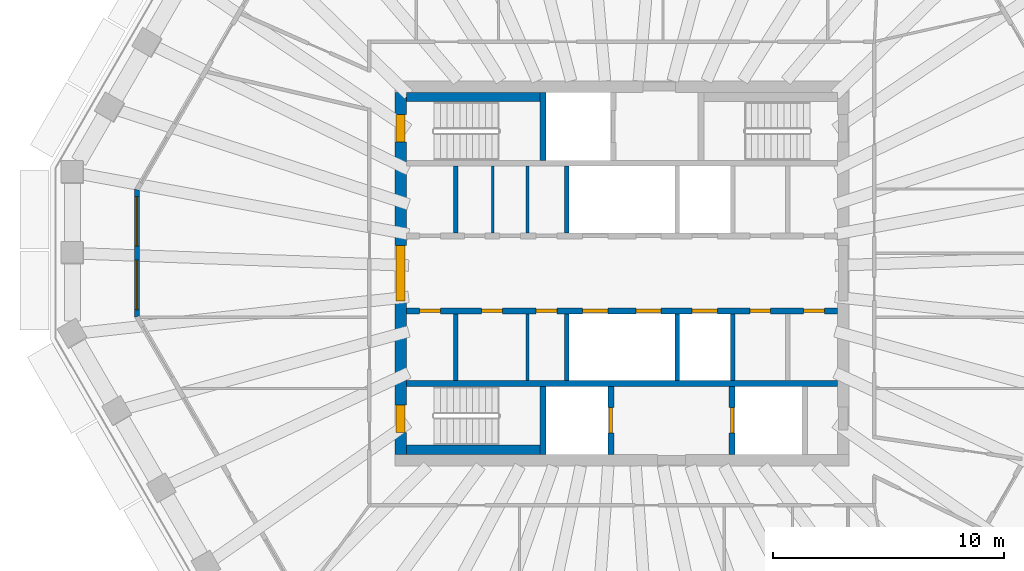
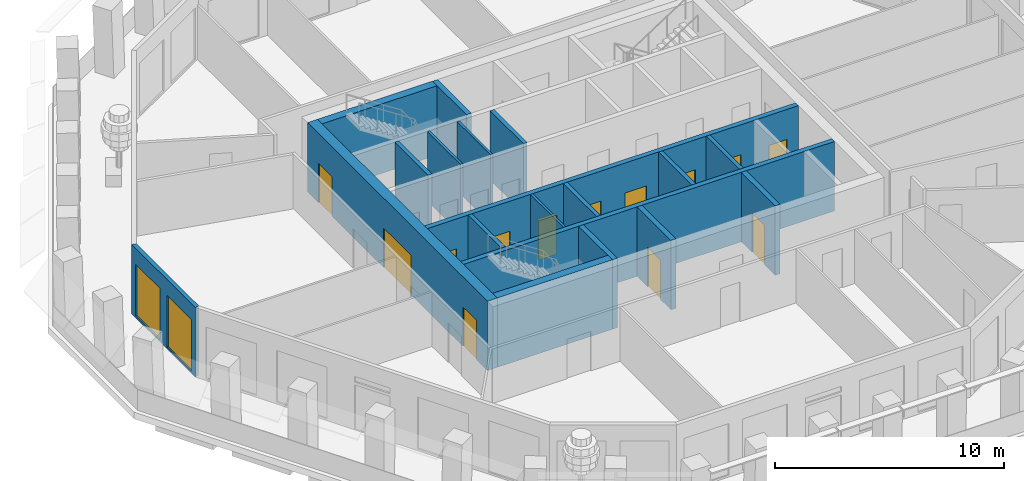
# One storey, part 4 of 12: 19 walls, 13 doors, 2 windows, 15 openings.
"""IFC4 building model written with IfcOpenShell, lengths in metres."""

from ifc_helpers import new_model, si_unit, direction, frame, frame_2d, origin, place, context, subcontext, project, spatial, polyline, rectangle, outline, extrude, material, layer, layer_set, type_object, element, fill, save


model = new_model("IFC4")

# Units and contexts
model_context = context("Model", 3, precision=1e-05, world=origin(), true_north=direction((0.0, 1.0)))
body_context = subcontext(model_context, "Body", "Model", "MODEL_VIEW")
ifc_project = project(units=[si_unit("LENGTHUNIT", "METRE"), si_unit("AREAUNIT", "SQUARE_METRE"), si_unit("VOLUMEUNIT", "CUBIC_METRE"), si_unit("PLANEANGLEUNIT", "RADIAN"), si_unit("MASSUNIT", "GRAM", prefix="KILO")], contexts=[model_context])

# Site, building, storey
site_placement = place(None, origin())
site = spatial("IfcSite", under=ifc_project, at=site_placement, CompositionType="ELEMENT")
building_placement = place(site_placement, origin())
building = spatial("IfcBuilding", under=site, at=building_placement, Name="Frailejon Research Tower", CompositionType="ELEMENT")
storey_placement = place(building_placement, frame((0.0, 0.0, 291.0)))
storey = spatial("IfcBuildingStorey", under=building, at=storey_placement, Name="L64", CompositionType="ELEMENT", Elevation=291.0)

# Walls
ifc_material_1 = material(Name="Plasterboard on steel studs", Category="steel")
ifc_layer_1 = layer(ifc_material_1, 0.125)
ifc_layer_set_1 = layer_set([ifc_layer_1], Name="Core partition 125")
wall_type_1 = type_object("IfcWallType", Name="Core partition 125", PredefinedType="PARTITIONING", material=ifc_layer_set_1)
for number, where, z_axis, x_axis, name in (
    (1, (-5.60009765625, 1.75, 0.0), (0.0, 0.0, 1.0), (0.0, 1.0, 0.0), "Core partition"),
    (2, (-4.10009765625, 1.75, 0.0), (0.0, 0.0, 1.0), (0.0, 1.0, 0.0), "Core partition"),
    (3, (-4.10009765625, -4.64990234375, 0.0), (0.0, 0.0, 1.0), (0.0, 1.0, 0.0), "Core partition"),
):
    element("IfcWall", number, at=place(storey_placement, frame(where, z_axis=z_axis, x_axis=x_axis)), inside=storey, type_object=wall_type_1, Name=name, PredefinedType="PARTITIONING", context=body_context, shape_type="SweptSolid", body=[
        extrude(rectangle(XDim=2.89990234375, YDim=0.125, at=frame_2d((1.449951171875, 0.0))), origin(), (0.0, 0.0, 1.0), 3.699951171875),
    ])

# Wall, openings, doors
ifc_material_2 = material(Name="Concrete C50/60", Category="concrete")
ifc_layer_2 = layer(ifc_material_2, 0.5)
ifc_layer_set_2 = layer_set([ifc_layer_2], Name="Core shear wall 500 C50/60")
wall_type_2 = type_object("IfcWallType", Name="Core shear wall 500 C50/60", PredefinedType="SHEAR", material=ifc_layer_set_2)
wall_1_placement = place(storey_placement, frame((-9.60009765625, -7.85009765625, 0.0), z_axis=(0.0, 0.0, 1.0), x_axis=(0.0, 1.0, 0.0)))
wall_1 = element("IfcWall", 4, at=wall_1_placement, inside=storey, type_object=wall_type_2, Name="Core shear wall", PredefinedType="SHEAR", context=body_context, shape_type="SweptSolid", body=[
    extrude(rectangle(XDim=15.7001953125, YDim=0.5, at=frame_2d((7.85009765625, 0.0))), origin(), (0.0, 0.0, 1.0), 3.699951171875),
])
opening_1_placement = place(wall_1_placement, frame((6.64990234375, 0.0, 0.0)))
opening_1 = element("IfcOpeningElement", 5, at=opening_1_placement, cuts=wall_1, Name="Opening D2", PredefinedType="OPENING", context=body_context, shape_type="SweptSolid", body=[
    extrude(rectangle(XDim=2.39990234375, YDim=2.10009765625, at=frame_2d((1.199951171875, 1.050048828125))), frame((0.0, 0.260009765625, 0.0), z_axis=(0.0, -1.0, 0.0), x_axis=(1.0, 0.0, 0.0)), (0.0, 0.0, 1.0), 0.52001953125),
])
opening_2_placement = place(wall_1_placement, frame((13.550048828125, 0.0, 0.0)))
opening_2 = element("IfcOpeningElement", 6, at=opening_2_placement, cuts=wall_1, Name="Opening D1", PredefinedType="OPENING", context=body_context, shape_type="SweptSolid", body=[
    extrude(rectangle(XDim=1.199951171875, YDim=2.10009765625, at=frame_2d((0.60009765625, 1.050048828125))), frame((0.0, 0.260009765625, 0.0), z_axis=(0.0, -1.0, 0.0), x_axis=(1.0, 0.0, 0.0)), (0.0, 0.0, 1.0), 0.52001953125),
])
opening_3_placement = place(wall_1_placement, frame((0.949951171875, 0.0, 0.0)))
opening_3 = element("IfcOpeningElement", 7, at=opening_3_placement, cuts=wall_1, Name="Opening D1", PredefinedType="OPENING", context=body_context, shape_type="SweptSolid", body=[
    extrude(rectangle(XDim=1.199951171875, YDim=2.10009765625, at=frame_2d((0.60009765625, 1.050048828125))), frame((0.0, 0.260009765625, 0.0), z_axis=(0.0, -1.0, 0.0), x_axis=(1.0, 0.0, 0.0)), (0.0, 0.0, 1.0), 0.52001953125),
])
ifc_material_3 = material(Name="Steel", Category="steel")
door_type_1 = type_object("IfcDoorType", Name="Lobby double door", OperationType="DOUBLE_DOOR_SINGLE_SWING", PredefinedType="DOOR", material=ifc_material_3)
door_1_placement = place(opening_1_placement, origin())
door_1 = element("IfcDoor", 8, at=door_1_placement, inside=storey, type_object=door_type_1, Name="Lobby door", OperationType="DOUBLE_DOOR_SINGLE_SWING", OverallHeight=2.10009765625, OverallWidth=2.39990234375, PredefinedType="DOOR", context=body_context, shape_type="SweptSolid", body=[
    extrude(rectangle(XDim=2.39990234375, YDim=2.10009765625, at=frame_2d((1.199951171875, 1.050048828125))), frame((0.0, 0.199951171875, 0.0), z_axis=(0.0, -1.0, 0.0), x_axis=(1.0, 0.0, 0.0)), (0.0, 0.0, 1.0), 0.39990234375),
])
fill(opening_1, door_1)
ifc_material_4 = material(Name="Steel", Category="steel")
door_type_2 = type_object("IfcDoorType", Name="Stair door", OperationType="SINGLE_SWING_LEFT", PredefinedType="DOOR", material=ifc_material_4)
door_2_placement = place(opening_2_placement, origin())
door_2 = element("IfcDoor", 9, at=door_2_placement, inside=storey, type_object=door_type_2, Name="Stair door ST1", OperationType="SINGLE_SWING_LEFT", OverallHeight=2.10009765625, OverallWidth=1.199951171875, PredefinedType="DOOR", context=body_context, shape_type="SweptSolid", body=[
    extrude(rectangle(XDim=1.199951171875, YDim=2.10009765625, at=frame_2d((0.60009765625, 1.050048828125))), frame((0.0, 0.199951171875, 0.0), z_axis=(0.0, -1.0, 0.0), x_axis=(1.0, 0.0, 0.0)), (0.0, 0.0, 1.0), 0.39990234375),
])
fill(opening_2, door_2)
door_3_placement = place(opening_3_placement, origin())
door_3 = element("IfcDoor", 10, at=door_3_placement, inside=storey, type_object=door_type_2, Name="Stair door ST2", OperationType="SINGLE_SWING_RIGHT", OverallHeight=2.10009765625, OverallWidth=1.199951171875, PredefinedType="DOOR", context=body_context, shape_type="SweptSolid", body=[
    extrude(rectangle(XDim=1.199951171875, YDim=2.10009765625, at=frame_2d((0.60009765625, 1.050048828125))), frame((0.0, 0.199951171875, 0.0), z_axis=(0.0, -1.0, 0.0), x_axis=(1.0, 0.0, 0.0)), (0.0, 0.0, 1.0), 0.39990234375),
])
fill(opening_3, door_3)

# Walls
ifc_material_5 = material(Name="Concrete C50/60", Category="concrete")
ifc_layer_3 = layer(ifc_material_5, 0.199951171875)
ifc_layer_set_3 = layer_set([ifc_layer_3], Name="Shaft wall 200 C50/60")
wall_type_3 = type_object("IfcWallType", Name="Shaft wall 200 C50/60", PredefinedType="SOLIDWALL", material=ifc_layer_set_3)
for number, where, z_axis, x_axis, name in (
    (11, (-7.199951171875, 1.75, 0.0), (0.0, 0.0, 1.0), (0.0, 1.0, 0.0), "Shaft wall"),
    (12, (-2.39990234375, 1.75, 0.0), (0.0, 0.0, 1.0), (0.0, 1.0, 0.0), "Shaft wall"),
    (13, (-7.199951171875, -4.64990234375, 0.0), (0.0, 0.0, 1.0), (0.0, 1.0, 0.0), "Shaft wall"),
    (14, (-2.39990234375, -4.64990234375, 0.0), (0.0, 0.0, 1.0), (0.0, 1.0, 0.0), "Shaft wall"),
    (15, (2.39990234375, -4.64990234375, 0.0), (0.0, 0.0, 1.0), (0.0, 1.0, 0.0), "Shaft wall"),
    (16, (4.800048828125, -4.64990234375, 0.0), (0.0, 0.0, 1.0), (0.0, 1.0, 0.0), "Shaft wall"),
):
    element("IfcWall", number, at=place(storey_placement, frame(where, z_axis=z_axis, x_axis=x_axis)), inside=storey, type_object=wall_type_3, Name=name, PredefinedType="SOLIDWALL", context=body_context, shape_type="SweptSolid", body=[
        extrude(rectangle(XDim=2.89990234375, YDim=0.199951171875, at=frame_2d((1.449951171875, 0.0))), origin(), (0.0, 0.0, 1.0), 3.699951171875),
    ])

# Wall, openings, doors
ifc_material_6 = material(Name="Concrete C50/60", Category="concrete")
ifc_layer_4 = layer(ifc_material_6, 0.25)
ifc_layer_set_4 = layer_set([ifc_layer_4], Name="Shaft wall 250 C50/60")
wall_type_4 = type_object("IfcWallType", Name="Shaft wall 250 C50/60", PredefinedType="SOLIDWALL", material=ifc_layer_set_4)
wall_2_placement = place(storey_placement, frame((-9.35009765625, -1.625, 0.0), z_axis=(0.0, 0.0, 1.0), x_axis=(1.0, 0.0, 0.0)))
wall_2 = element("IfcWall", 17, at=wall_2_placement, inside=storey, type_object=wall_type_4, Name="Shaft wall", PredefinedType="SOLIDWALL", context=body_context, shape_type="SweptSolid", body=[
    extrude(rectangle(XDim=18.7001953125, YDim=0.25, at=frame_2d((9.35009765625, 0.0))), origin(), (0.0, 0.0, 1.0), 3.699951171875),
])
opening_4_placement = place(wall_2_placement, frame((7.64990234375, 0.0, 0.0)))
opening_4 = element("IfcOpeningElement", 18, at=opening_4_placement, cuts=wall_2, Name="Opening LD", PredefinedType="OPENING", context=body_context, shape_type="SweptSolid", body=[
    extrude(rectangle(XDim=1.10009765625, YDim=2.10009765625, at=frame_2d((0.550048828125, 1.050048828125))), frame((0.0, 0.135009765625, 0.0), z_axis=(0.0, -1.0, 0.0), x_axis=(1.0, 0.0, 0.0)), (0.0, 0.0, 1.0), 0.27001953125),
])
opening_5_placement = place(wall_2_placement, frame((9.949951171875, 0.0, 0.0)))
opening_5 = element("IfcOpeningElement", 19, at=opening_5_placement, cuts=wall_2, Name="Opening LD", PredefinedType="OPENING", context=body_context, shape_type="SweptSolid", body=[
    extrude(rectangle(XDim=1.10009765625, YDim=2.10009765625, at=frame_2d((0.550048828125, 1.050048828125))), frame((0.0, 0.135009765625, 0.0), z_axis=(0.0, -1.0, 0.0), x_axis=(1.0, 0.0, 0.0)), (0.0, 0.0, 1.0), 0.27001953125),
])
opening_6_placement = place(wall_2_placement, frame((12.39990234375, 0.0, 0.0)))
opening_6 = element("IfcOpeningElement", 20, at=opening_6_placement, cuts=wall_2, Name="Opening LD", PredefinedType="OPENING", context=body_context, shape_type="SweptSolid", body=[
    extrude(rectangle(XDim=1.10009765625, YDim=2.10009765625, at=frame_2d((0.550048828125, 1.050048828125))), frame((0.0, 0.135009765625, 0.0), z_axis=(0.0, -1.0, 0.0), x_axis=(1.0, 0.0, 0.0)), (0.0, 0.0, 1.0), 0.27001953125),
])
opening_7_placement = place(wall_2_placement, frame((0.574951171875, 0.0, 0.0)))
opening_7 = element("IfcOpeningElement", 21, at=opening_7_placement, cuts=wall_2, Name="Opening D8", PredefinedType="OPENING", context=body_context, shape_type="SweptSolid", body=[
    extrude(rectangle(XDim=0.89990234375, YDim=2.10009765625, at=frame_2d((0.449951171875, 1.050048828125))), frame((0.0, 0.135009765625, 0.0), z_axis=(0.0, -1.0, 0.0), x_axis=(1.0, 0.0, 0.0)), (0.0, 0.0, 1.0), 0.27001953125),
])
opening_8_placement = place(wall_2_placement, frame((3.268798828125, 0.0, 0.0)))
opening_8 = element("IfcOpeningElement", 22, at=opening_8_placement, cuts=wall_2, Name="Opening D8", PredefinedType="OPENING", context=body_context, shape_type="SweptSolid", body=[
    extrude(rectangle(XDim=0.89990234375, YDim=2.10009765625, at=frame_2d((0.449951171875, 1.050048828125))), frame((0.0, 0.135009765625, 0.0), z_axis=(0.0, -1.0, 0.0), x_axis=(1.0, 0.0, 0.0)), (0.0, 0.0, 1.0), 0.27001953125),
])
opening_9_placement = place(wall_2_placement, frame((5.631103515625, 0.0, 0.0)))
opening_9 = element("IfcOpeningElement", 23, at=opening_9_placement, cuts=wall_2, Name="Opening D8", PredefinedType="OPENING", context=body_context, shape_type="SweptSolid", body=[
    extrude(rectangle(XDim=0.89990234375, YDim=2.10009765625, at=frame_2d((0.449951171875, 1.050048828125))), frame((0.0, 0.135009765625, 0.0), z_axis=(0.0, -1.0, 0.0), x_axis=(1.0, 0.0, 0.0)), (0.0, 0.0, 1.0), 0.27001953125),
])
opening_10_placement = place(wall_2_placement, frame((14.89990234375, 0.0, 0.0)))
opening_10 = element("IfcOpeningElement", 24, at=opening_10_placement, cuts=wall_2, Name="Opening D8", PredefinedType="OPENING", context=body_context, shape_type="SweptSolid", body=[
    extrude(rectangle(XDim=0.89990234375, YDim=2.10009765625, at=frame_2d((0.449951171875, 1.050048828125))), frame((0.0, 0.135009765625, 0.0), z_axis=(0.0, -1.0, 0.0), x_axis=(1.0, 0.0, 0.0)), (0.0, 0.0, 1.0), 0.27001953125),
])
opening_11_placement = place(wall_2_placement, frame((17.22509765625, 0.0, 0.0)))
opening_11 = element("IfcOpeningElement", 25, at=opening_11_placement, cuts=wall_2, Name="Opening D8", PredefinedType="OPENING", context=body_context, shape_type="SweptSolid", body=[
    extrude(rectangle(XDim=0.89990234375, YDim=2.10009765625, at=frame_2d((0.449951171875, 1.050048828125))), frame((0.0, 0.135009765625, 0.0), z_axis=(0.0, -1.0, 0.0), x_axis=(1.0, 0.0, 0.0)), (0.0, 0.0, 1.0), 0.27001953125),
])
ifc_material_7 = material(Name="Steel", Category="steel")
door_type_3 = type_object("IfcDoorType", Name="Core room door", OperationType="SINGLE_SWING_LEFT", PredefinedType="DOOR", material=ifc_material_7)
door_4_placement = place(opening_7_placement, origin())
door_4 = element("IfcDoor", 26, at=door_4_placement, inside=storey, type_object=door_type_3, Name="Room door", OperationType="SINGLE_SWING_LEFT", OverallHeight=2.10009765625, OverallWidth=0.89990234375, PredefinedType="DOOR", context=body_context, shape_type="SweptSolid", body=[
    extrude(rectangle(XDim=0.89990234375, YDim=2.10009765625, at=frame_2d((0.449951171875, 1.050048828125))), frame((0.0, 0.074951171875, 0.0), z_axis=(0.0, -1.0, 0.0), x_axis=(1.0, 0.0, 0.0)), (0.0, 0.0, 1.0), 0.14990234375),
])
fill(opening_7, door_4)
door_5_placement = place(opening_8_placement, origin())
door_5 = element("IfcDoor", 27, at=door_5_placement, inside=storey, type_object=door_type_3, Name="Room door", OperationType="SINGLE_SWING_RIGHT", OverallHeight=2.10009765625, OverallWidth=0.89990234375, PredefinedType="DOOR", context=body_context, shape_type="SweptSolid", body=[
    extrude(rectangle(XDim=0.89990234375, YDim=2.10009765625, at=frame_2d((0.449951171875, 1.050048828125))), frame((0.0, 0.074951171875, 0.0), z_axis=(0.0, -1.0, 0.0), x_axis=(1.0, 0.0, 0.0)), (0.0, 0.0, 1.0), 0.14990234375),
])
fill(opening_8, door_5)
door_6_placement = place(opening_9_placement, origin())
door_6 = element("IfcDoor", 28, at=door_6_placement, inside=storey, type_object=door_type_3, Name="Room door", OperationType="SINGLE_SWING_LEFT", OverallHeight=2.10009765625, OverallWidth=0.89990234375, PredefinedType="DOOR", context=body_context, shape_type="SweptSolid", body=[
    extrude(rectangle(XDim=0.89990234375, YDim=2.10009765625, at=frame_2d((0.449951171875, 1.050048828125))), frame((0.0, 0.074951171875, 0.0), z_axis=(0.0, -1.0, 0.0), x_axis=(1.0, 0.0, 0.0)), (0.0, 0.0, 1.0), 0.14990234375),
])
fill(opening_9, door_6)
door_7_placement = place(opening_10_placement, origin())
door_7 = element("IfcDoor", 29, at=door_7_placement, inside=storey, type_object=door_type_3, Name="Room door", OperationType="SINGLE_SWING_RIGHT", OverallHeight=2.10009765625, OverallWidth=0.89990234375, PredefinedType="DOOR", context=body_context, shape_type="SweptSolid", body=[
    extrude(rectangle(XDim=0.89990234375, YDim=2.10009765625, at=frame_2d((0.449951171875, 1.050048828125))), frame((0.0, 0.074951171875, 0.0), z_axis=(0.0, -1.0, 0.0), x_axis=(1.0, 0.0, 0.0)), (0.0, 0.0, 1.0), 0.14990234375),
])
fill(opening_10, door_7)
door_8_placement = place(opening_11_placement, origin())
door_8 = element("IfcDoor", 30, at=door_8_placement, inside=storey, type_object=door_type_3, Name="Room door", OperationType="SINGLE_SWING_LEFT", OverallHeight=2.10009765625, OverallWidth=0.89990234375, PredefinedType="DOOR", context=body_context, shape_type="SweptSolid", body=[
    extrude(rectangle(XDim=0.89990234375, YDim=2.10009765625, at=frame_2d((0.449951171875, 1.050048828125))), frame((0.0, 0.074951171875, 0.0), z_axis=(0.0, -1.0, 0.0), x_axis=(1.0, 0.0, 0.0)), (0.0, 0.0, 1.0), 0.14990234375),
])
fill(opening_11, door_8)
ifc_material_8 = material(Name="Steel", Category="steel")
door_type_4 = type_object("IfcDoorType", Name="Lift landing door", OperationType="DOUBLE_DOOR_SLIDING", PredefinedType="DOOR", material=ifc_material_8)
door_9_placement = place(opening_4_placement, origin())
door_9 = element("IfcDoor", 31, at=door_9_placement, inside=storey, type_object=door_type_4, Name="Lift landing door", OperationType="DOUBLE_DOOR_SLIDING", OverallHeight=2.10009765625, OverallWidth=1.10009765625, PredefinedType="DOOR", context=body_context, shape_type="SweptSolid", body=[
    extrude(rectangle(XDim=1.10009765625, YDim=2.10009765625, at=frame_2d((0.550048828125, 1.050048828125))), frame((0.0, 0.074951171875, 0.0), z_axis=(0.0, -1.0, 0.0), x_axis=(1.0, 0.0, 0.0)), (0.0, 0.0, 1.0), 0.14990234375),
])
fill(opening_4, door_9)
door_10_placement = place(opening_5_placement, origin())
door_10 = element("IfcDoor", 32, at=door_10_placement, inside=storey, type_object=door_type_4, Name="Lift landing door", OperationType="DOUBLE_DOOR_SLIDING", OverallHeight=2.10009765625, OverallWidth=1.10009765625, PredefinedType="DOOR", context=body_context, shape_type="SweptSolid", body=[
    extrude(rectangle(XDim=1.10009765625, YDim=2.10009765625, at=frame_2d((0.550048828125, 1.050048828125))), frame((0.0, 0.074951171875, 0.0), z_axis=(0.0, -1.0, 0.0), x_axis=(1.0, 0.0, 0.0)), (0.0, 0.0, 1.0), 0.14990234375),
])
fill(opening_5, door_10)
door_11_placement = place(opening_6_placement, origin())
door_11 = element("IfcDoor", 33, at=door_11_placement, inside=storey, type_object=door_type_4, Name="Lift landing door", OperationType="DOUBLE_DOOR_SLIDING", OverallHeight=2.10009765625, OverallWidth=1.10009765625, PredefinedType="DOOR", context=body_context, shape_type="SweptSolid", body=[
    extrude(rectangle(XDim=1.10009765625, YDim=2.10009765625, at=frame_2d((0.550048828125, 1.050048828125))), frame((0.0, 0.074951171875, 0.0), z_axis=(0.0, -1.0, 0.0), x_axis=(1.0, 0.0, 0.0)), (0.0, 0.0, 1.0), 0.14990234375),
])
fill(opening_6, door_11)

# Walls
wall_3_placement = place(storey_placement, frame((-9.35009765625, -4.77490234375, 0.0), z_axis=(0.0, 0.0, 1.0), x_axis=(1.0, 0.0, 0.0)))
element("IfcWall", 34, at=wall_3_placement, inside=storey, type_object=wall_type_4, Name="Shaft wall", PredefinedType="SOLIDWALL", context=body_context, shape_type="SweptSolid", body=[
    extrude(rectangle(XDim=18.7001953125, YDim=0.25, at=frame_2d((9.35009765625, 0.0))), origin(), (0.0, 0.0, 1.0), 3.699951171875),
])
for number, where, z_axis, x_axis, name in (
    (35, (-3.425048828125, 4.89990234375, 0.0), (0.0, 0.0, 1.0), (0.0, 1.0, 0.0), "Shaft wall"),
    (36, (-3.425048828125, -7.85009765625, 0.0), (0.0, 0.0, 1.0), (0.0, 1.0, 0.0), "Shaft wall"),
):
    element("IfcWall", number, at=place(storey_placement, frame(where, z_axis=z_axis, x_axis=x_axis)), inside=storey, type_object=wall_type_4, Name=name, PredefinedType="SOLIDWALL", context=body_context, shape_type="SweptSolid", body=[
        extrude(rectangle(XDim=2.9501953125, YDim=0.25, at=frame_2d((1.47509765625, 0.0))), origin(), (0.0, 0.0, 1.0), 3.699951171875),
    ])

# Wall, opening, door
wall_4_placement = place(storey_placement, frame((-0.47509765625, -7.85009765625, 0.0), z_axis=(0.0, 0.0, 1.0), x_axis=(0.0, 1.0, 0.0)))
wall_4 = element("IfcWall", 37, at=wall_4_placement, inside=storey, type_object=wall_type_4, Name="Shaft wall", PredefinedType="SOLIDWALL", context=body_context, shape_type="SweptSolid", body=[
    extrude(rectangle(XDim=2.9501953125, YDim=0.25, at=frame_2d((1.47509765625, 0.0))), origin(), (0.0, 0.0, 1.0), 3.699951171875),
])
opening_12_placement = place(wall_4_placement, frame((0.925048828125, 0.0, 0.0)))
opening_12 = element("IfcOpeningElement", 38, at=opening_12_placement, cuts=wall_4, Name="Opening LD", PredefinedType="OPENING", context=body_context, shape_type="SweptSolid", body=[
    extrude(rectangle(XDim=1.10009765625, YDim=2.10009765625, at=frame_2d((0.550048828125, 1.050048828125))), frame((0.0, 0.135009765625, 0.0), z_axis=(0.0, -1.0, 0.0), x_axis=(1.0, 0.0, 0.0)), (0.0, 0.0, 1.0), 0.27001953125),
])
door_12_placement = place(opening_12_placement, origin())
door_12 = element("IfcDoor", 39, at=door_12_placement, inside=storey, type_object=door_type_4, Name="Lift landing door", OperationType="DOUBLE_DOOR_SLIDING", OverallHeight=2.10009765625, OverallWidth=1.10009765625, PredefinedType="DOOR", context=body_context, shape_type="SweptSolid", body=[
    extrude(rectangle(XDim=1.10009765625, YDim=2.10009765625, at=frame_2d((0.550048828125, 1.050048828125))), frame((0.0, 0.074951171875, 0.0), z_axis=(0.0, -1.0, 0.0), x_axis=(1.0, 0.0, 0.0)), (0.0, 0.0, 1.0), 0.14990234375),
])
fill(opening_12, door_12)

wall_5_placement = place(storey_placement, frame((4.77490234375, -7.85009765625, 0.0), z_axis=(0.0, 0.0, 1.0), x_axis=(0.0, 1.0, 0.0)))
wall_5 = element("IfcWall", 40, at=wall_5_placement, inside=storey, type_object=wall_type_4, Name="Shaft wall", PredefinedType="SOLIDWALL", context=body_context, shape_type="SweptSolid", body=[
    extrude(rectangle(XDim=2.9501953125, YDim=0.25, at=frame_2d((1.47509765625, 0.0))), origin(), (0.0, 0.0, 1.0), 3.699951171875),
])
opening_13_placement = place(wall_5_placement, frame((0.925048828125, 0.0, 0.0)))
opening_13 = element("IfcOpeningElement", 41, at=opening_13_placement, cuts=wall_5, Name="Opening LD", PredefinedType="OPENING", context=body_context, shape_type="SweptSolid", body=[
    extrude(rectangle(XDim=1.10009765625, YDim=2.10009765625, at=frame_2d((0.550048828125, 1.050048828125))), frame((0.0, 0.135009765625, 0.0), z_axis=(0.0, -1.0, 0.0), x_axis=(1.0, 0.0, 0.0)), (0.0, 0.0, 1.0), 0.27001953125),
])
door_13_placement = place(opening_13_placement, origin())
door_13 = element("IfcDoor", 42, at=door_13_placement, inside=storey, type_object=door_type_4, Name="Lift landing door", OperationType="DOUBLE_DOOR_SLIDING", OverallHeight=2.10009765625, OverallWidth=1.10009765625, PredefinedType="DOOR", context=body_context, shape_type="SweptSolid", body=[
    extrude(rectangle(XDim=1.10009765625, YDim=2.10009765625, at=frame_2d((0.550048828125, 1.050048828125))), frame((0.0, 0.074951171875, 0.0), z_axis=(0.0, -1.0, 0.0), x_axis=(1.0, 0.0, 0.0)), (0.0, 0.0, 1.0), 0.14990234375),
])
fill(opening_13, door_13)

# Walls
ifc_material_9 = material(Name="Concrete C50/60", Category="concrete")
ifc_layer_5 = layer(ifc_material_9, 0.39990234375)
ifc_layer_set_5 = layer_set([ifc_layer_5], Name="Shaft wall 400 C50/60")
wall_type_5 = type_object("IfcWallType", Name="Shaft wall 400 C50/60", PredefinedType="SOLIDWALL", material=ifc_layer_set_5)
for number, where, z_axis, x_axis, name in (
    (43, (-9.35009765625, 7.64990234375, 0.0), (0.0, 0.0, 1.0), (1.0, 0.0, 0.0), "Shaft wall"),
    (44, (-9.35009765625, -7.64990234375, 0.0), (0.0, 0.0, 1.0), (1.0, 0.0, 0.0), "Shaft wall"),
):
    element("IfcWall", number, at=place(storey_placement, frame(where, z_axis=z_axis, x_axis=x_axis)), inside=storey, type_object=wall_type_5, Name=name, PredefinedType="SOLIDWALL", context=body_context, shape_type="SweptSolid", body=[
        extrude(rectangle(XDim=5.800048828125, YDim=0.39990234375, at=frame_2d((2.89990234375, 0.0))), origin(), (0.0, 0.0, 1.0), 3.699951171875),
    ])

# Wall, openings, windows
ifc_material_10 = material(Name="Concrete C40/50 precast window wall panel", Category="concrete")
ifc_layer_6 = layer(ifc_material_10, 0.199951171875)
ifc_layer_set_6 = layer_set([ifc_layer_6], Name="Window wall 200")
wall_type_6 = type_object("IfcWallType", Name="Window wall 200", PredefinedType="SOLIDWALL", material=ifc_layer_set_6)
wall_6_placement = place(storey_placement, frame((-21.03173828125, 3.631591796875, 0.0), z_axis=(0.0, 0.0, 1.0), x_axis=(0.0, -1.0, 0.0)))
wall_6 = element("IfcWall", 45, at=wall_6_placement, inside=storey, type_object=wall_type_6, Name="Exterior wall L64", PredefinedType="SOLIDWALL", context=body_context, shape_type="SweptSolid", body=[
    extrude(outline(polyline([(-0.02685546875, -0.10009765625), (1.08447265625, -0.10009765625), (2.196044921875, -0.10009765625), (3.307373046875, -0.10009765625), (4.4189453125, -0.10009765625), (5.5302734375, -0.10009765625), (5.4765625, 0.10009765625), (4.38671875, 0.10009765625), (3.296630859375, 0.10009765625), (2.206787109375, 0.10009765625), (1.11669921875, 0.10009765625), (0.02685546875, 0.10009765625), (-0.02685546875, -0.10009765625)])), origin(), (0.0, 0.0, 1.0), 3.699951171875),
])
opening_14_placement = place(wall_6_placement, frame((0.30078125, 0.0, 0.10009765625)))
opening_14 = element("IfcOpeningElement", 46, at=opening_14_placement, cuts=wall_6, Name="Opening W22", PredefinedType="OPENING", context=body_context, shape_type="SweptSolid", body=[
    extrude(rectangle(XDim=2.14990234375, YDim=2.75, at=frame_2d((1.074951171875, 1.375))), frame((0.0, 0.10986328125, 0.0), z_axis=(0.0, -1.0, 0.0), x_axis=(1.0, 0.0, 0.0)), (0.0, 0.0, 1.0), 0.219970703125),
])
opening_15_placement = place(wall_6_placement, frame((3.052490234375, 0.0, 0.10009765625)))
opening_15 = element("IfcOpeningElement", 47, at=opening_15_placement, cuts=wall_6, Name="Opening W22", PredefinedType="OPENING", context=body_context, shape_type="SweptSolid", body=[
    extrude(rectangle(XDim=2.14990234375, YDim=2.75, at=frame_2d((1.074951171875, 1.375))), frame((0.0, 0.10986328125, 0.0), z_axis=(0.0, -1.0, 0.0), x_axis=(1.0, 0.0, 0.0)), (0.0, 0.0, 1.0), 0.219970703125),
])
ifc_material_11 = material(Name="Aluminium framed double glazing", Category="aluminium")
window_type = type_object("IfcWindowType", Name="Window 2150x2750", PartitioningType="SINGLE_PANEL", PredefinedType="WINDOW", material=ifc_material_11)
window_1_placement = place(opening_14_placement, origin())
window_1 = element("IfcWindow", 48, at=window_1_placement, inside=storey, type_object=window_type, Name="Window L64", OverallHeight=2.75, OverallWidth=2.14990234375, PartitioningType="SINGLE_PANEL", PredefinedType="WINDOW", context=body_context, shape_type="SweptSolid", body=[
    extrude(rectangle(XDim=2.14990234375, YDim=2.75, at=frame_2d((1.074951171875, 1.375))), frame((0.0, 0.030029296875, 0.0), z_axis=(0.0, -1.0, 0.0), x_axis=(1.0, 0.0, 0.0)), (0.0, 0.0, 1.0), 0.06005859375),
])
fill(opening_14, window_1)
window_2_placement = place(opening_15_placement, origin())
window_2 = element("IfcWindow", 49, at=window_2_placement, inside=storey, type_object=window_type, Name="Window L64", OverallHeight=2.75, OverallWidth=2.14990234375, PartitioningType="SINGLE_PANEL", PredefinedType="WINDOW", context=body_context, shape_type="SweptSolid", body=[
    extrude(rectangle(XDim=2.14990234375, YDim=2.75, at=frame_2d((1.074951171875, 1.375))), frame((0.0, 0.030029296875, 0.0), z_axis=(0.0, -1.0, 0.0), x_axis=(1.0, 0.0, 0.0)), (0.0, 0.0, 1.0), 0.06005859375),
])
fill(opening_15, window_2)

save(model, "model.ifc")
